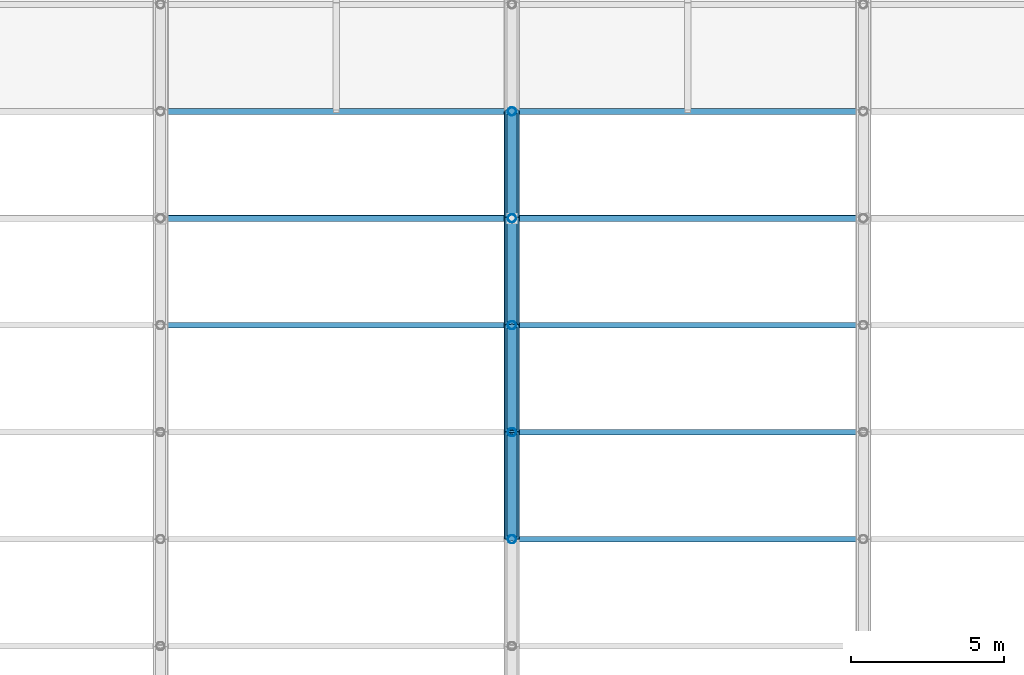
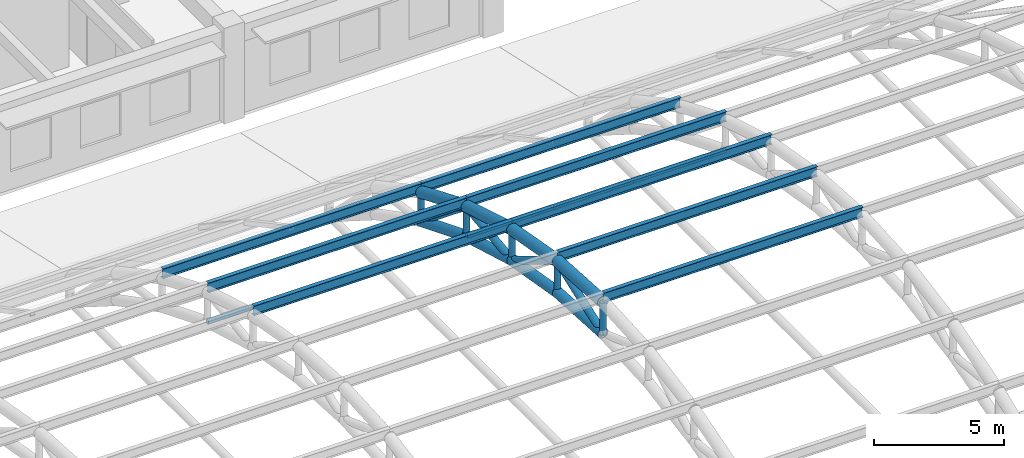
# One storey, part 26 of 154: 27 members.
"""IFC4 building model written with IfcOpenShell, lengths in metres."""

import ifcopenshell
import ifcopenshell.guid

model = None  # the IFC model being written
_history = None  # IfcOwnerHistory: only IFC2X3 demands one
_inside = {}  # id of a spatial element -> (the spatial element, [elements in it])
_under = {}  # id of a project, library or spatial element -> (it, [spatial elements below it])
_declared = {}  # id of a project -> (the project, [libraries it declares])
_typed = {}  # id of a type object -> (the type object, [elements of that type])
_made_of = {}  # id of a material, layer set ... -> (it, [elements and type objects made of it])


def new_model(schema):
    """Start an empty IFC model of exactly this schema.

    Asked for "IFC4X3", IfcOpenShell would pick the latest addendum, in which some entities
    have other attributes; the version numbers below select the first issue.
    IFC2X3 requires an IfcOwnerHistory on every rooted entity: one is made here for all.
    """
    global model, _history
    if schema == "IFC4X3":
        model = ifcopenshell.file(schema_version=(4, 3, 0, 0))
    else:
        model = ifcopenshell.file(schema=schema)
    _inside.clear()
    _under.clear()
    _declared.clear()
    _typed.clear()
    _made_of.clear()
    _history = None
    if model.schema == "IFC2X3":
        org = make("IfcOrganization", Name="unknown")
        user = make(
            "IfcPersonAndOrganization",
            ThePerson=make("IfcPerson", FamilyName="unknown"),
            TheOrganization=org,
        )
        app = make(
            "IfcApplication",
            ApplicationDeveloper=org,
            Version="unknown",
            ApplicationFullName="unknown",
            ApplicationIdentifier="unknown",
        )
        _history = make(
            "IfcOwnerHistory",
            OwningUser=user,
            OwningApplication=app,
            ChangeAction="ADDED",
            CreationDate=0,
        )
    return model


def make(cls, **values):
    """One entity of the class cls with the attributes given. An attribute that is None is left unset."""
    return model.create_entity(
        cls, **{name: value for name, value in values.items() if value is not None}
    )


def rooted(cls, **values):
    """An entity with a GlobalId (a new one), such as an element, a storey or a relation."""
    return make(cls, GlobalId=ifcopenshell.guid.new(), OwnerHistory=_history, **values)


def si_unit(unit_type, name, prefix=None):
    """IfcSIUnit, for example si_unit("LENGTHUNIT", "METRE", prefix="MILLI")."""
    return make("IfcSIUnit", UnitType=unit_type, Prefix=prefix, Name=name)


def assignment(units):
    """IfcUnitAssignment: the units of a project."""
    return None if units is None else make("IfcUnitAssignment", Units=units)


def point(xyz):
    """IfcCartesianPoint."""
    return None if xyz is None else make("IfcCartesianPoint", Coordinates=xyz)


def direction(xyz):
    """IfcDirection."""
    return None if xyz is None else make("IfcDirection", DirectionRatios=xyz)


def frame(location, z_axis=None, x_axis=None):
    """IfcAxis2Placement3D, a coordinate frame: its origin and axes. An axis left out is left unset."""
    return make(
        "IfcAxis2Placement3D",
        Location=point(location),
        Axis=direction(z_axis),
        RefDirection=direction(x_axis),
    )


def frame_2d(location, x_axis=None):
    """IfcAxis2Placement2D, a coordinate frame in the plane: its origin and x axis."""
    return make(
        "IfcAxis2Placement2D", Location=point(location), RefDirection=direction(x_axis)
    )


def origin():
    """The frame at (0, 0, 0) with its axes left unset."""
    return frame((0.0, 0.0, 0.0))


def origin_2d():
    """The frame at (0, 0) in the plane with its x axis left unset."""
    return frame_2d((0.0, 0.0))


def place(relative_to, where):
    """IfcLocalPlacement: puts the frame where relative to a parent placement (None: the world)."""
    return make(
        "IfcLocalPlacement", PlacementRelTo=relative_to, RelativePlacement=where
    )


def context(
    kind, dimensions, precision=None, world=None, true_north=None, identifier=None
):
    """IfcGeometricRepresentationContext, for example the 3D "Model" context."""
    return make(
        "IfcGeometricRepresentationContext",
        ContextIdentifier=identifier,
        ContextType=kind,
        CoordinateSpaceDimension=dimensions,
        Precision=precision,
        WorldCoordinateSystem=world,
        TrueNorth=true_north,
    )


def subcontext(parent, identifier, kind, view, scale=None):
    """IfcGeometricRepresentationSubContext, for example "Body" below "Model"."""
    return make(
        "IfcGeometricRepresentationSubContext",
        ContextIdentifier=identifier,
        ContextType=kind,
        ParentContext=parent,
        TargetScale=scale,
        TargetView=view,
    )


def project(units=None, contexts=None):
    """IfcProject with its units and contexts."""
    return rooted(
        "IfcProject",
        Name="project",
        RepresentationContexts=contexts,
        UnitsInContext=assignment(units),
    )


def spatial(cls, under=None, at=None, **own):
    """A site, building, storey or space (cls), placed at a placement, below another one or the project."""
    s = rooted(cls, ObjectPlacement=at, **own)
    if under is not None:
        _under.setdefault(under.id(), (under, []))[1].append(s)
    return s


def profile(cls, at=None, kind="AREA", **sizes):
    """A parametric profile (cls). Its sizes go by their IFC names, for example OverallWidth=200.0."""
    return make(cls, ProfileType=kind, Position=at, **sizes)


def hollow_circle(**sizes):
    """IfcCircleHollowProfileDef."""
    return profile("IfcCircleHollowProfileDef", **sizes)


def i_section(**sizes):
    """IfcIShapeProfileDef."""
    return profile("IfcIShapeProfileDef", **sizes)


def extrude(swept, where, along, depth):
    """IfcExtrudedAreaSolid: the profile swept, set in the frame where, extruded along a direction by depth."""
    return make(
        "IfcExtrudedAreaSolid",
        SweptArea=swept,
        Position=where,
        ExtrudedDirection=direction(along),
        Depth=depth,
    )


def shape(context_of_items, identifier, shape_type, items):
    """IfcShapeRepresentation: the items that make up one representation, for example the "Body"."""
    return make(
        "IfcShapeRepresentation",
        ContextOfItems=context_of_items,
        RepresentationIdentifier=identifier,
        RepresentationType=shape_type,
        Items=items,
    )


def material(Name=None, Category=None):
    """IfcMaterial."""
    return make("IfcMaterial", Name=Name, Category=Category)


def material_profile(
    of_material, cross_section, Name=None, Category=None, Priority=None
):
    """IfcMaterialProfile: a cross section and its material."""
    return make(
        "IfcMaterialProfile",
        Name=Name,
        Material=of_material,
        Profile=cross_section,
        Priority=Priority,
        Category=Category,
    )


def profile_set(profiles, Name=None, composite=None):
    """IfcMaterialProfileSet."""
    return make(
        "IfcMaterialProfileSet",
        Name=Name,
        MaterialProfiles=profiles,
        CompositeProfile=composite,
    )


def made_of(thing, what):
    """Note that an element or type object is made of a material, layer set ...; save() writes the relation."""
    if what is not None:
        _made_of.setdefault(what.id(), (what, []))[1].append(thing)
    return thing


def type_object(cls, material=None, **own):
    """A type object (cls), such as IfcWallType, which elements share."""
    return made_of(rooted(cls, **own), material)


def element(
    cls,
    number,
    at=None,
    inside=None,
    cuts=None,
    type_object=None,
    material=None,
    context=None,
    identifier="Body",
    shape_type=None,
    held_by="IfcProductDefinitionShape",
    body=None,
    shapes=None,
    **own,
):
    """One element of the class cls, such as IfcWall. Its Tag is "e" and its number.

    at: its placement. inside: the storey or other place that contains it. cuts: it is an
    opening in that element (IfcRelVoidsElement). A single representation is given by context,
    identifier, shape_type and body (its items); several are given by shapes. held_by: the class
    of the entity that holds the representations. save() writes the other relations.
    """
    e = rooted(cls, Tag="e%d" % number, ObjectPlacement=at, **own)
    if body is not None:
        shapes = [shape(context, identifier, shape_type, body)]
    if shapes is not None:
        e.Representation = make(held_by, Representations=shapes)
    if inside is not None:
        _inside.setdefault(inside.id(), (inside, []))[1].append(e)
    if cuts is not None:
        rooted(
            "IfcRelVoidsElement", RelatingBuildingElement=cuts, RelatedOpeningElement=e
        )
    if type_object is not None:
        _typed.setdefault(type_object.id(), (type_object, []))[1].append(e)
    return made_of(e, material)


def aggregate(whole, parts):
    """IfcRelAggregates: a whole, such as a stair, and the parts it consists of."""
    return rooted("IfcRelAggregates", RelatingObject=whole, RelatedObjects=parts)


def save(model, path):
    """Write the relations noted so far, then the file.

    IfcRelAggregates (storeys below a building ...), IfcRelContainedInSpatialStructure (elements
    in a storey), IfcRelDefinesByType, IfcRelAssociatesMaterial and IfcRelDeclares: one each for
    every whole, place, type object, material and project.
    """
    for whole, parts in _under.values():
        aggregate(whole, parts)
    for where, things in _inside.values():
        rooted(
            "IfcRelContainedInSpatialStructure",
            RelatedElements=things,
            RelatingStructure=where,
        )
    for kind, things in _typed.values():
        rooted("IfcRelDefinesByType", RelatedObjects=things, RelatingType=kind)
    for what, things in _made_of.values():
        rooted("IfcRelAssociatesMaterial", RelatedObjects=things, RelatingMaterial=what)
    for by, libraries in _declared.values():
        rooted("IfcRelDeclares", RelatingContext=by, RelatedDefinitions=libraries)
    model.write(path)


model = new_model("IFC4")

# Units and contexts
model_context = context("Model", 3, precision=1e-05, world=origin(), true_north=direction((0.0, 1.0)))
body_context = subcontext(model_context, "Body", "Model", "MODEL_VIEW")
ifc_project = project(units=[si_unit("LENGTHUNIT", "METRE"), si_unit("AREAUNIT", "SQUARE_METRE"), si_unit("VOLUMEUNIT", "CUBIC_METRE"), si_unit("PLANEANGLEUNIT", "RADIAN"), si_unit("MASSUNIT", "GRAM", prefix="KILO")], contexts=[model_context])

# Site, building, storey
site_placement = place(None, origin())
site = spatial("IfcSite", under=ifc_project, at=site_placement, CompositionType="ELEMENT")
building_placement = place(site_placement, origin())
building = spatial("IfcBuilding", under=site, at=building_placement, Name="Ologun Quay Terminus", CompositionType="ELEMENT")
storey_placement = place(building_placement, frame((0.0, 0.0, 13.800048828125)))
storey = spatial("IfcBuildingStorey", under=building, at=storey_placement, Name="L03", CompositionType="ELEMENT", Elevation=13.800048828125)

# Members
ifc_material_1 = material(Name="Steel S355", Category="steel")
ifc_material_profile_1 = material_profile(ifc_material_1, hollow_circle(Radius=0.136474609375, WallThickness=0.010009765625, at=origin_2d()), Name="CHS 273x10")
ifc_profile_set_1 = profile_set([ifc_material_profile_1], Name="Steel S355")
member_type_1 = type_object("IfcMemberType", Name="Arch Truss Vertical Post CHS273", PredefinedType="STRUT", material=ifc_profile_set_1)
member_1_placement = place(storey_placement, frame((57.5, 57.0, 7.239990234375), z_axis=(0.0, 0.0, 1.0), x_axis=(1.0, 0.0, 0.0)))
element("IfcMember", 1, at=member_1_placement, inside=storey, type_object=member_type_1, Name="AW2 Arch Web Post 6-N6", PredefinedType="STRUT", context=body_context, shape_type="SweptSolid", body=[
    extrude(hollow_circle(Radius=0.136474609375, WallThickness=0.010009765625, at=origin_2d()), origin(), (0.0, 0.0, 1.0), 1.47998046875),
])
member_2_placement = place(storey_placement, frame((57.5, 60.5, 7.038818359375), z_axis=(0.0, 0.0, 1.0), x_axis=(1.0, 0.0, 0.0)))
element("IfcMember", 2, at=member_2_placement, inside=storey, type_object=member_type_1, Name="AW2 Arch Web Post 6-N7", PredefinedType="STRUT", context=body_context, shape_type="SweptSolid", body=[
    extrude(hollow_circle(Radius=0.136474609375, WallThickness=0.010009765625, at=origin_2d()), origin(), (0.0, 0.0, 1.0), 1.47216796875),
])
member_3_placement = place(storey_placement, frame((57.5, 64.0, 6.435546875), z_axis=(0.0, 0.0, 1.0), x_axis=(1.0, 0.0, 0.0)))
element("IfcMember", 3, at=member_3_placement, inside=storey, type_object=member_type_1, Name="AW2 Arch Web Post 6-N8", PredefinedType="STRUT", context=body_context, shape_type="SweptSolid", body=[
    extrude(hollow_circle(Radius=0.136474609375, WallThickness=0.010009765625, at=origin_2d()), origin(), (0.0, 0.0, 1.0), 1.44873046875),
])
member_4_placement = place(storey_placement, frame((57.5, 67.5, 5.429931640625), z_axis=(0.0, 0.0, 1.0), x_axis=(1.0, 0.0, 0.0)))
element("IfcMember", 4, at=member_4_placement, inside=storey, type_object=member_type_1, Name="AW2 Arch Web Post 6-N9", PredefinedType="STRUT", context=body_context, shape_type="SweptSolid", body=[
    extrude(hollow_circle(Radius=0.136474609375, WallThickness=0.010009765625, at=origin_2d()), origin(), (0.0, 0.0, 1.0), 1.409912109375),
])
member_5_placement = place(storey_placement, frame((57.5, 71.0, 4.022216796875), z_axis=(0.0, 0.0, 1.0), x_axis=(1.0, 0.0, 0.0)))
element("IfcMember", 5, at=member_5_placement, inside=storey, type_object=member_type_1, Name="AW2 Arch Web Post 6-N10", PredefinedType="STRUT", context=body_context, shape_type="SweptSolid", body=[
    extrude(hollow_circle(Radius=0.136474609375, WallThickness=0.010009765625, at=origin_2d()), origin(), (0.0, 0.0, 1.0), 1.35546875),
])
ifc_material_2 = material(Name="Steel S355", Category="steel")
ifc_material_profile_2 = material_profile(ifc_material_2, hollow_circle(Radius=0.161865234375, WallThickness=0.010009765625, at=origin_2d()), Name="CHS 323.9x10")
ifc_profile_set_2 = profile_set([ifc_material_profile_2], Name="Steel S355")
member_type_2 = type_object("IfcMemberType", Name="Arch Truss Web Diagonal CHS323", PredefinedType="BRACE", material=ifc_profile_set_2)
member_6_placement = place(storey_placement, frame((57.5, 57.0, 7.239990234375), z_axis=(0.0, 0.939942650142, 0.34133241048), x_axis=(-1.0, 0.0, 0.0)))
element("IfcMember", 6, at=member_6_placement, inside=storey, type_object=member_type_2, Name="AW1 Arch Web Diagonal 6-P7", PredefinedType="BRACE", context=body_context, shape_type="SweptSolid", body=[
    extrude(hollow_circle(Radius=0.161865234375, WallThickness=0.010009765625, at=origin_2d()), origin(), (0.0, 0.0, 1.0), 3.7236328125),
])
member_7_placement = place(storey_placement, frame((57.5, 60.5, 8.510986328125), z_axis=(0.0, 0.860144332958, -0.510050709715), x_axis=(-1.0, 0.0, 0.0)))
element("IfcMember", 7, at=member_7_placement, inside=storey, type_object=member_type_2, Name="AW1 Arch Web Diagonal 6-P8", PredefinedType="BRACE", context=body_context, shape_type="SweptSolid", body=[
    extrude(hollow_circle(Radius=0.161865234375, WallThickness=0.010009765625, at=origin_2d()), origin(), (0.0, 0.0, 1.0), 4.069091796875),
])
member_8_placement = place(storey_placement, frame((57.5, 64.0, 6.435546875), z_axis=(0.0, 0.993394361, 0.114750353084), x_axis=(-1.0, 0.0, 0.0)))
element("IfcMember", 8, at=member_8_placement, inside=storey, type_object=member_type_2, Name="AW1 Arch Web Diagonal 6-P9", PredefinedType="BRACE", context=body_context, shape_type="SweptSolid", body=[
    extrude(hollow_circle(Radius=0.161865234375, WallThickness=0.010009765625, at=origin_2d()), origin(), (0.0, 0.0, 1.0), 3.523193359375),
])
member_9_placement = place(storey_placement, frame((57.5, 67.5, 6.83984375), z_axis=(0.0, 0.77895148125, -0.627084196785), x_axis=(-1.0, 0.0, 0.0)))
element("IfcMember", 9, at=member_9_placement, inside=storey, type_object=member_type_2, Name="AW1 Arch Web Diagonal 6-P10", PredefinedType="BRACE", context=body_context, shape_type="SweptSolid", body=[
    extrude(hollow_circle(Radius=0.161865234375, WallThickness=0.010009765625, at=origin_2d()), origin(), (0.0, 0.0, 1.0), 4.4931640625),
])
ifc_material_3 = material(Name="Steel S355", Category="steel")
ifc_material_profile_3 = material_profile(ifc_material_3, hollow_circle(Radius=0.228515625, WallThickness=0.01611328125, at=origin_2d()), Name="CHS 457x16")
ifc_profile_set_3 = profile_set([ifc_material_profile_3], Name="Steel S355")
member_type_3 = type_object("IfcMemberType", Name="Parabolic Arch Bottom Chord CHS457", PredefinedType="CHORD", material=ifc_profile_set_3)
member_10_placement = place(storey_placement, frame((57.5, 57.0, 7.239990234375), z_axis=(0.0, 0.998352239869, -0.057382969144), x_axis=(-1.0, 0.0, 0.0)))
element("IfcMember", 10, at=member_10_placement, inside=storey, type_object=member_type_3, Name="AC2 Arch Bottom Chord 6-P7", PredefinedType="CHORD", context=body_context, shape_type="SweptSolid", body=[
    extrude(hollow_circle(Radius=0.228515625, WallThickness=0.01611328125, at=origin_2d()), origin(), (0.0, 0.0, 1.0), 3.505859375),
])
member_11_placement = place(storey_placement, frame((57.5, 60.5, 7.038818359375), z_axis=(0.0, 0.985468449185, -0.16985857547), x_axis=(-1.0, 0.0, 0.0)))
element("IfcMember", 11, at=member_11_placement, inside=storey, type_object=member_type_3, Name="AC2 Arch Bottom Chord 6-P8", PredefinedType="CHORD", context=body_context, shape_type="SweptSolid", body=[
    extrude(hollow_circle(Radius=0.228515625, WallThickness=0.01611328125, at=origin_2d()), origin(), (0.0, 0.0, 1.0), 3.551513671875),
])
member_12_placement = place(storey_placement, frame((57.5, 64.0, 6.435546875), z_axis=(0.0, 0.961115578425, -0.276146419331), x_axis=(-1.0, 0.0, 0.0)))
element("IfcMember", 12, at=member_12_placement, inside=storey, type_object=member_type_3, Name="AC2 Arch Bottom Chord 6-P9", PredefinedType="CHORD", context=body_context, shape_type="SweptSolid", body=[
    extrude(hollow_circle(Radius=0.228515625, WallThickness=0.01611328125, at=origin_2d()), origin(), (0.0, 0.0, 1.0), 3.6416015625),
])
member_13_placement = place(storey_placement, frame((57.5, 67.5, 5.429931640625), z_axis=(0.0, 0.92776983497, -0.373152962363), x_axis=(-1.0, 0.0, 0.0)))
element("IfcMember", 13, at=member_13_placement, inside=storey, type_object=member_type_3, Name="AC2 Arch Bottom Chord 6-P10", PredefinedType="CHORD", context=body_context, shape_type="SweptSolid", body=[
    extrude(hollow_circle(Radius=0.228515625, WallThickness=0.01611328125, at=origin_2d()), origin(), (0.0, 0.0, 1.0), 3.7724609375),
])
ifc_material_4 = material(Name="Steel S355", Category="steel")
ifc_material_profile_4 = material_profile(ifc_material_4, hollow_circle(Radius=0.25390625, WallThickness=0.01611328125, at=origin_2d()), Name="CHS 508x16")
ifc_profile_set_4 = profile_set([ifc_material_profile_4], Name="Steel S355")
member_type_4 = type_object("IfcMemberType", Name="Parabolic Arch Top Chord CHS508", PredefinedType="CHORD", material=ifc_profile_set_4)
member_14_placement = place(storey_placement, frame((57.5, 57.0, 8.719970703125), z_axis=(0.0, 0.998222121157, -0.0596036646), x_axis=(-1.0, 0.0, 0.0)))
element("IfcMember", 14, at=member_14_placement, inside=storey, type_object=member_type_4, Name="Arch Top Chord 6-P7", PredefinedType="CHORD", context=body_context, shape_type="SweptSolid", body=[
    extrude(hollow_circle(Radius=0.25390625, WallThickness=0.01611328125, at=origin_2d()), origin(), (0.0, 0.0, 1.0), 3.50634765625),
])
member_15_placement = place(storey_placement, frame((57.5, 60.5, 8.510986328125), z_axis=(0.0, 0.984344289591, -0.176256402859), x_axis=(-1.0, 0.0, 0.0)))
element("IfcMember", 15, at=member_15_placement, inside=storey, type_object=member_type_4, Name="Arch Top Chord 6-P8", PredefinedType="CHORD", context=body_context, shape_type="SweptSolid", body=[
    extrude(hollow_circle(Radius=0.25390625, WallThickness=0.01611328125, at=origin_2d()), origin(), (0.0, 0.0, 1.0), 3.5556640625),
])
member_16_placement = place(storey_placement, frame((57.5, 64.0, 7.88427734375), z_axis=(0.0, 0.958244712677, -0.285949419701), x_axis=(-1.0, 0.0, 0.0)))
element("IfcMember", 16, at=member_16_placement, inside=storey, type_object=member_type_4, Name="Arch Top Chord 6-P9", PredefinedType="CHORD", context=body_context, shape_type="SweptSolid", body=[
    extrude(hollow_circle(Radius=0.25390625, WallThickness=0.01611328125, at=origin_2d()), origin(), (0.0, 0.0, 1.0), 3.652587890625),
])
member_17_placement = place(storey_placement, frame((57.5, 67.5, 6.83984375), z_axis=(0.0, 0.922718523726, -0.385474416755), x_axis=(-1.0, 0.0, 0.0)))
element("IfcMember", 17, at=member_17_placement, inside=storey, type_object=member_type_4, Name="Arch Top Chord 6-P10", PredefinedType="CHORD", context=body_context, shape_type="SweptSolid", body=[
    extrude(hollow_circle(Radius=0.25390625, WallThickness=0.01611328125, at=origin_2d()), origin(), (0.0, 0.0, 1.0), 3.793212890625),
])
ifc_material_5 = material(Name="Steel S355", Category="steel")
ifc_material_profile_5 = material_profile(ifc_material_5, hollow_circle(Radius=0.109619140625, WallThickness=0.008056640625, at=origin_2d()), Name="CHS 219.1x8")
ifc_profile_set_5 = profile_set([ifc_material_profile_5], Name="Steel S355")
member_type_5 = type_object("IfcMemberType", Name="Roof Plan Wind Brace Collector CHS219", PredefinedType="STRUT", material=ifc_profile_set_5)
for number, where, z_axis, x_axis, name in (
    (18, (46.0, 67.5, 5.429931640625), (1.0, 0.0, 0.0), (0.0, 1.0, 0.0), "WB2 Collector Strut B5-K9"),
    (19, (57.5, 67.5, 5.429931640625), (1.0, 0.0, 0.0), (0.0, 1.0, 0.0), "WB2 Collector Strut B6-K9"),
):
    element("IfcMember", number, at=place(storey_placement, frame(where, z_axis=z_axis, x_axis=x_axis)), inside=storey, type_object=member_type_5, Name=name, PredefinedType="STRUT", context=body_context, shape_type="SweptSolid", body=[
        extrude(hollow_circle(Radius=0.109619140625, WallThickness=0.008056640625, at=origin_2d()), origin(), (0.0, 0.0, 1.0), 11.5),
    ])
ifc_material_6 = material(Name="Steel S355", Category="steel")
ifc_material_profile_6 = material_profile(ifc_material_6, i_section(OverallWidth=0.1904296875, OverallDepth=0.45703125, WebThickness=0.009033203125, FlangeThickness=0.014404296875, at=origin_2d()), Name="UKB 457x191x74")
ifc_profile_set_6 = profile_set([ifc_material_profile_6], Name="Steel S355")
member_type_6 = type_object("IfcMemberType", Name="Train Shed Primary Roof Purlin UKB457", PredefinedType="PURLIN", material=ifc_profile_set_6)
for number, where, z_axis, x_axis, name in (
    (20, (46.0, 64.0, 8.11279296875), (1.0, 0.0, 0.0), (0.0, 1.0, 0.0), "PR1 Roof Purlin B5-N8"),
    (21, (46.0, 67.5, 7.068359375), (1.0, 0.0, 0.0), (0.0, 1.0, 0.0), "PR1 Roof Purlin B5-N9"),
    (22, (46.0, 71.0, 5.606201171875), (1.0, 0.0, 0.0), (0.0, 1.0, 0.0), "PR1 Roof Purlin B5-N10"),
    (23, (57.5, 57.0, 8.948486328125), (1.0, 0.0, 0.0), (0.0, 1.0, 0.0), "PR1 Roof Purlin B6-N6"),
    (24, (57.5, 60.5, 8.739501953125), (1.0, 0.0, 0.0), (0.0, 1.0, 0.0), "PR1 Roof Purlin B6-N7"),
    (25, (57.5, 64.0, 8.11279296875), (1.0, 0.0, 0.0), (0.0, 1.0, 0.0), "PR1 Roof Purlin B6-N8"),
    (26, (57.5, 67.5, 7.068359375), (1.0, 0.0, 0.0), (0.0, 1.0, 0.0), "PR1 Roof Purlin B6-N9"),
    (27, (57.5, 71.0, 5.606201171875), (1.0, 0.0, 0.0), (0.0, 1.0, 0.0), "PR1 Roof Purlin B6-N10"),
):
    element("IfcMember", number, at=place(storey_placement, frame(where, z_axis=z_axis, x_axis=x_axis)), inside=storey, type_object=member_type_6, Name=name, PredefinedType="PURLIN", context=body_context, shape_type="SweptSolid", body=[
        extrude(i_section(OverallWidth=0.1904296875, OverallDepth=0.45703125, WebThickness=0.009033203125, FlangeThickness=0.014404296875, at=origin_2d()), origin(), (0.0, 0.0, 1.0), 11.5),
    ])

save(model, "model.ifc")
